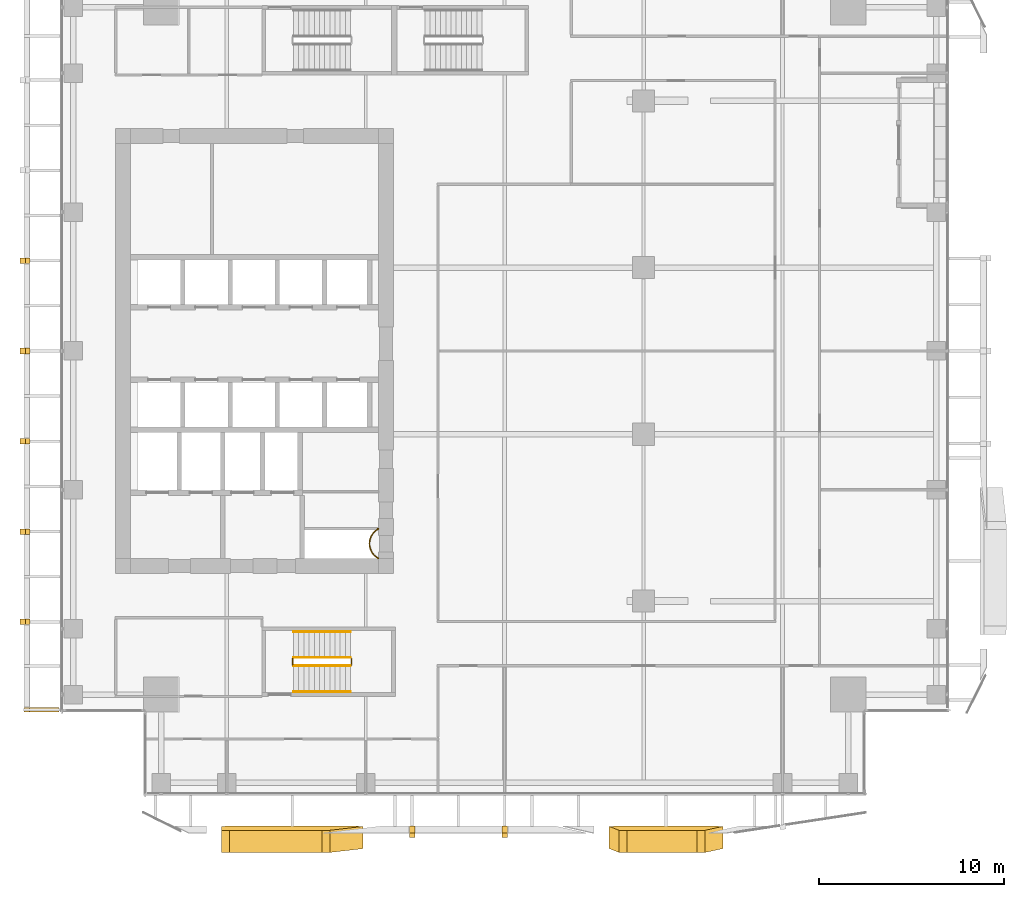
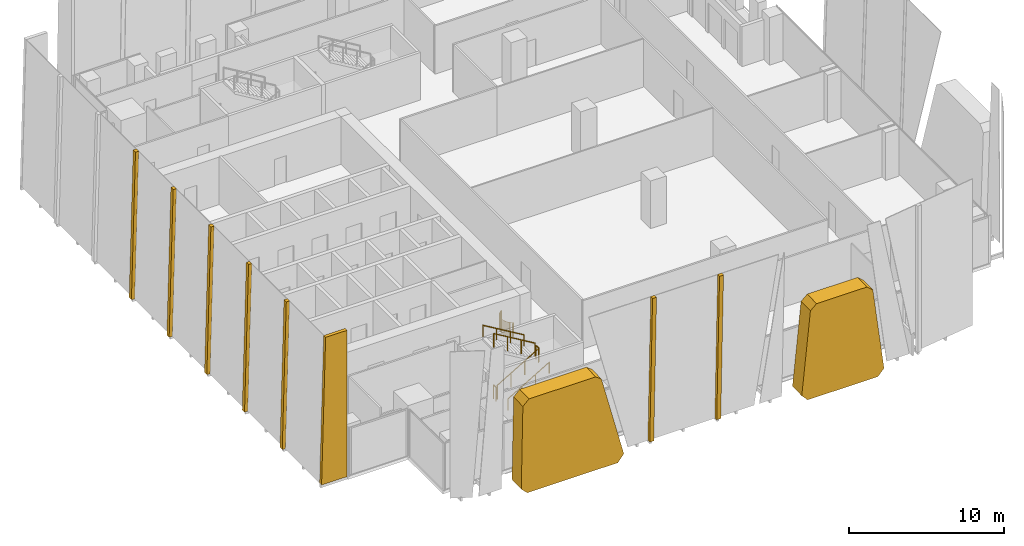
# One storey, part 32 of 35: 10 coverings, 7 railings.
"""IFC4 building model written with IfcOpenShell, lengths in metres."""

from ifc_helpers import new_model, si_unit, direction, frame, origin, origin_2d, place, context, subcontext, project, spatial, polyline, circle, outline, extrude, source, transform, mapped, material, layer, layer_set, type_object, element, save


model = new_model("IFC4")

# Units and contexts
model_context = context("Model", 3, precision=1e-05, world=origin(), true_north=direction((0.0, 1.0)))
body_context = subcontext(model_context, "Body", "Model", "MODEL_VIEW")
ifc_project = project(units=[si_unit("LENGTHUNIT", "METRE"), si_unit("AREAUNIT", "SQUARE_METRE"), si_unit("VOLUMEUNIT", "CUBIC_METRE"), si_unit("PLANEANGLEUNIT", "RADIAN"), si_unit("MASSUNIT", "GRAM", prefix="KILO")], contexts=[model_context])

# Site, building, storey
site_placement = place(None, origin())
site = spatial("IfcSite", under=ifc_project, at=site_placement, CompositionType="ELEMENT")
building_placement = place(site_placement, origin())
building = spatial("IfcBuilding", under=site, at=building_placement, Name="Khomas Fold Tower", CompositionType="ELEMENT")
storey_placement = place(building_placement, frame((0.0, 0.0, 188.699951171875)))
storey = spatial("IfcBuildingStorey", under=building, at=storey_placement, Name="L41", CompositionType="ELEMENT", Elevation=188.699951171875)

# Coverings
ifc_material_1 = material(Name="Natural stone cladding", Category="masonry")
ifc_layer_1 = layer(ifc_material_1, 0.25)
ifc_layer_set_1 = layer_set([ifc_layer_1], Name="Natural stone cladding")
covering_type_1 = type_object("IfcCoveringType", Name="SK-Karibib marble stone mullion", PredefinedType="CLADDING", material=ifc_layer_set_1)
for number, where, z_axis, x_axis, name in (
    (1, (21.85009765625, 1.3486328125, 0.0), (0.0, 0.999510363794, 0.031289497744), (0.0, -0.031289497744, 0.999510363794), "OUTER SKIN mullion L41 SM102-5"),
    (2, (26.85009765625, 1.3486328125, 0.0), (0.0, 0.999510363794, 0.031289497744), (0.0, -0.031289497744, 0.999510363794), "OUTER SKIN mullion L41 SM103-7"),
):
    element("IfcCovering", number, at=place(storey_placement, frame(where, z_axis=z_axis, x_axis=x_axis)), inside=storey, type_object=covering_type_1, Name=name, PredefinedType="CLADDING", context=body_context, shape_type="SweptSolid", body=[
        extrude(outline(polyline([(0.0, 0.0), (11.555706920623285, 0.0), (11.555706920623285, 0.2998046875), (0.0, 0.2998046875), (0.0, 0.0)])), origin(), (0.0, 0.0, -1.0), 0.25),
    ])
for number, where, z_axis, x_axis, name in (
    (3, (0.83349609375, 12.22509765625, 0.006591796875), (-0.999657230839, 0.0, 0.026180543005), (0.0, 1.0, 0.0), "OUTER SKIN mullion L41 W2"),
    (4, (0.83349609375, 17.10009765625, 0.006591796875), (-0.999657230839, 0.0, 0.026180543005), (0.0, 1.0, 0.0), "OUTER SKIN mullion L41 W4"),
    (5, (0.83349609375, 21.97509765625, 0.006591796875), (-0.999657230839, 0.0, 0.026180543005), (0.0, 1.0, 0.0), "OUTER SKIN mullion L41 W6"),
    (6, (0.83349609375, 26.85009765625, 0.006591796875), (-0.999657230839, 0.0, 0.026180543005), (0.0, 1.0, 0.0), "OUTER SKIN mullion L41 W8"),
    (7, (0.83349609375, 31.72509765625, 0.006591796875), (-0.999657230839, 0.0, 0.026180543005), (0.0, 1.0, 0.0), "OUTER SKIN mullion L41 W10"),
):
    element("IfcCovering", number, at=place(storey_placement, frame(where, z_axis=z_axis, x_axis=x_axis)), inside=storey, type_object=covering_type_1, Name=name, PredefinedType="CLADDING", context=body_context, shape_type="SweptSolid", body=[
        extrude(outline(polyline([(0.0, 0.0), (0.2998046875, 0.0), (0.2998046875, -11.554009186164079), (0.0, -11.554009186164079), (0.0, 0.0)])), origin(), (0.0, 0.0, -1.0), 0.25),
    ])
covering_1_placement = place(storey_placement, frame((2.949951171875, 7.5, 11.550048828125), z_axis=(0.0, -1.0, 0.0), x_axis=(-1.0, 0.0, 0.0)))
element("IfcCovering", 8, at=covering_1_placement, inside=storey, type_object=covering_type_1, Name="OUTER SKIN return L41 W1", PredefinedType="CLADDING", context=body_context, shape_type="SweptSolid", body=[
    extrude(outline(polyline([(0.0, 0.0), (1.60400390625, 0.0), (1.906494140625, 11.550048828125), (0.0, 11.550048828125), (0.0, 0.0)])), origin(), (0.0, 0.0, -1.0), 0.25),
])
ifc_material_2 = material(Name="Natural stone cladding", Category="masonry")
ifc_layer_2 = layer(ifc_material_2, 1.199951171875)
ifc_layer_set_2 = layer_set([ifc_layer_2], Name="Natural stone cladding")
covering_type_2 = type_object("IfcCoveringType", Name="SK-Karibib marble stone panel", PredefinedType="CLADDING", material=ifc_layer_set_2)
covering_2_placement = place(storey_placement, frame((17.5615234375, 1.122802734375, 7.217041015625), z_axis=(-4.24261e-07, 0.999510577501, 0.031282670349), x_axis=(0.26010883284, 0.030206009408, -0.965106725743)))
element("IfcCovering", 9, at=covering_2_placement, inside=storey, type_object=covering_type_2, Name="OUTER SKIN leaf L41 SS03-1", PredefinedType="CLADDING", context=body_context, shape_type="SweptSolid", body=[
    extrude(outline(polyline([(0.0, 0.0), (6.890332437424228, 4.440892098500626e-16), (7.32517717231763, 0.5672007114812712), (5.5644258031402325, 7.103484256821253), (5.012718279457514, 7.420855569593037), (-1.4116732802441507, 5.690245788655849), (-1.7293156301382238, 5.138688034945283), (-0.4347407604426041, 0.33295079848620357), (0.0, 0.0)])), origin(), (0.0, 0.0, -1.0), 1.199951171875),
])
covering_3_placement = place(storey_placement, frame((37.826904296875, 1.12451171875, 7.163818359375), z_axis=(-4.786102e-06, 0.999510515773, 0.031284642191), x_axis=(0.141811287263, 0.030969148943, -0.989409152282)))
element("IfcCovering", 10, at=covering_3_placement, inside=storey, type_object=covering_type_2, Name="OUTER SKIN leaf L41 SS06-2", PredefinedType="CLADDING", context=body_context, shape_type="SweptSolid", body=[
    extrude(outline(polyline([(0.0, 0.0), (6.721079948784155, 0.0), (7.166901833895064, 0.5137269483588506), (6.423015769895395, 5.706318811478527), (5.878459120209692, 6.0816178813575545), (-0.6328881432835337, 4.615833816389153), (-0.9795726038122146, 4.112856342101365), (-0.4456683408996714, 0.38601285698693993), (0.0, 0.0)])), origin(), (0.0, 0.0, -1.0), 1.199951171875),
])

# Railings
ifc_material_3 = material(Name="Steel balustrade", Category="steel")
railing_type_1 = type_object("IfcRailingType", Name="Stair guard", PredefinedType="GUARDRAIL", material=ifc_material_3)
shared_shape_1 = source(origin(), body_context, "Body", "SweptSolid", [
    extrude(circle(Radius=0.02392578125, at=origin_2d()), frame((0.0, 0.0, 1.076171875), z_axis=(0.0, 1.0, 0.0), x_axis=(-1.0, 0.0, 0.0)), (0.0, 0.0, 1.0), 0.349853515625),
    extrude(circle(Radius=0.02099609375, at=origin_2d()), origin(), (0.0, 0.0, 1.0), 1.052001953125),
    extrude(circle(Radius=0.02099609375, at=origin_2d()), frame((0.0, 0.349853515625, 0.0)), (0.0, 0.0, 1.0), 1.052001953125),
])
for number, where, name in (
    (11, (18.72998046875, 10.050048828125, 2.0), "L41 ST2 stair guard 2"),
    (12, (15.550048828125, 10.050048828125, 0.0), "L41 ST2 stair guard 4"),
):
    element("IfcRailing", number, at=place(storey_placement, frame(where)), inside=storey, type_object=railing_type_1, Name=name, PredefinedType="GUARDRAIL", context=body_context, shape_type="MappedRepresentation", body=[
        mapped(shared_shape_1, transform((0.0, 0.0, 0.0))),
    ])
shared_shape_2 = source(origin(), body_context, "Body", "SweptSolid", [
    extrude(circle(Radius=0.02392578125, at=origin_2d()), frame((0.0, 0.0, 1.076171875), z_axis=(0.859290745958, 0.0, 0.51148745235), x_axis=(0.0, 1.0, 0.0)), (0.0, 0.0, 1.0), 3.584228515625),
    extrude(circle(Radius=0.02099609375, at=origin_2d()), origin(), (0.0, 0.0, 1.0), 1.052001953125),
    extrude(circle(Radius=0.02099609375, at=origin_2d()), frame((1.026611328125, 0.0, 0.611083984375)), (0.0, 0.0, 1.0), 1.052001953125),
    extrude(circle(Radius=0.02099609375, at=origin_2d()), frame((2.05322265625, 0.0, 1.22216796875)), (0.0, 0.0, 1.0), 1.052001953125),
    extrude(circle(Radius=0.02099609375, at=origin_2d()), frame((3.079833984375, 0.0, 1.833251953125)), (0.0, 0.0, 1.0), 1.052001953125),
])
railing_1_placement = place(storey_placement, frame((15.60009765625, 10.0, 0.166748046875)))
element("IfcRailing", 13, at=railing_1_placement, inside=storey, type_object=railing_type_1, Name="L41 ST2 stair guard 1", PredefinedType="GUARDRAIL", context=body_context, shape_type="MappedRepresentation", body=[
    mapped(shared_shape_2, transform((0.0, 0.0, 0.0))),
])
shared_shape_3 = source(origin(), body_context, "Body", "SweptSolid", [
    extrude(circle(Radius=0.02392578125, at=origin_2d()), frame((0.0, 0.0, 1.076171875), z_axis=(-0.859290745958, 0.0, 0.51148745235), x_axis=(0.0, -1.0, 0.0)), (0.0, 0.0, 1.0), 3.584228515625),
    extrude(circle(Radius=0.02099609375, at=origin_2d()), origin(), (0.0, 0.0, 1.0), 1.052001953125),
    extrude(circle(Radius=0.02099609375, at=origin_2d()), frame((-1.026611328125, 0.0, 0.611083984375)), (0.0, 0.0, 1.0), 1.052001953125),
    extrude(circle(Radius=0.02099609375, at=origin_2d()), frame((-2.05322265625, 0.0, 1.22216796875)), (0.0, 0.0, 1.0), 1.052001953125),
    extrude(circle(Radius=0.02099609375, at=origin_2d()), frame((-3.079833984375, 0.0, 1.833251953125)), (0.0, 0.0, 1.0), 1.052001953125),
])
railing_2_placement = place(storey_placement, frame((18.679931640625, 10.449951171875, 2.166748046875)))
element("IfcRailing", 14, at=railing_2_placement, inside=storey, type_object=railing_type_1, Name="L41 ST2 stair guard 3", PredefinedType="GUARDRAIL", context=body_context, shape_type="MappedRepresentation", body=[
    mapped(shared_shape_3, transform((0.0, 0.0, 0.0))),
])
ifc_material_4 = material(Name="Steel handrail", Category="steel")
railing_type_2 = type_object("IfcRailingType", Name="Stair handrail", PredefinedType="HANDRAIL", material=ifc_material_4)
shared_shape_4 = source(origin(), body_context, "Body", "SweptSolid", [
    extrude(circle(Radius=0.02392578125, at=origin_2d()), frame((0.0, 0.0, 0.8759765625), z_axis=(0.859290745958, 0.0, 0.51148745235), x_axis=(0.0, 1.0, 0.0)), (0.0, 0.0, 1.0), 3.584228515625),
    extrude(circle(Radius=0.02099609375, at=origin_2d()), origin(), (0.0, 0.0, 1.0), 0.851806640625),
    extrude(circle(Radius=0.02099609375, at=origin_2d()), frame((1.026611328125, 0.0, 0.611083984375)), (0.0, 0.0, 1.0), 0.851806640625),
    extrude(circle(Radius=0.02099609375, at=origin_2d()), frame((2.05322265625, 0.0, 1.22216796875)), (0.0, 0.0, 1.0), 0.851806640625),
    extrude(circle(Radius=0.02099609375, at=origin_2d()), frame((3.079833984375, 0.0, 1.833251953125)), (0.0, 0.0, 1.0), 0.851806640625),
])
railing_3_placement = place(storey_placement, frame((15.60009765625, 8.60009765625, 0.166748046875)))
element("IfcRailing", 15, at=railing_3_placement, inside=storey, type_object=railing_type_2, Name="L41 ST2 stair handrail 1", PredefinedType="HANDRAIL", context=body_context, shape_type="MappedRepresentation", body=[
    mapped(shared_shape_4, transform((0.0, 0.0, 0.0))),
])
shared_shape_5 = source(origin(), body_context, "Body", "SweptSolid", [
    extrude(circle(Radius=0.02392578125, at=origin_2d()), frame((0.0, 0.0, 0.8759765625), z_axis=(-0.859290745958, 0.0, 0.51148745235), x_axis=(0.0, -1.0, 0.0)), (0.0, 0.0, 1.0), 3.584228515625),
    extrude(circle(Radius=0.02099609375, at=origin_2d()), origin(), (0.0, 0.0, 1.0), 0.851806640625),
    extrude(circle(Radius=0.02099609375, at=origin_2d()), frame((-1.026611328125, 0.0, 0.611083984375)), (0.0, 0.0, 1.0), 0.851806640625),
    extrude(circle(Radius=0.02099609375, at=origin_2d()), frame((-2.05322265625, 0.0, 1.22216796875)), (0.0, 0.0, 1.0), 0.851806640625),
    extrude(circle(Radius=0.02099609375, at=origin_2d()), frame((-3.079833984375, 0.0, 1.833251953125)), (0.0, 0.0, 1.0), 0.851806640625),
])
railing_4_placement = place(storey_placement, frame((18.679931640625, 11.85009765625, 2.166748046875)))
element("IfcRailing", 16, at=railing_4_placement, inside=storey, type_object=railing_type_2, Name="L41 ST2 stair handrail 2", PredefinedType="HANDRAIL", context=body_context, shape_type="MappedRepresentation", body=[
    mapped(shared_shape_5, transform((0.0, 0.0, 0.0))),
])
ifc_material_5 = material(Name="Steel balustrade", Category="steel")
railing_type_3 = type_object("IfcRailingType", Name="Shaft guard", PredefinedType="GUARDRAIL", material=ifc_material_5)
shared_shape_6 = source(origin(), body_context, "Body", "SweptSolid", [
    extrude(circle(Radius=0.02490234375, at=origin_2d()), frame((0.0, 0.0, 1.0751953125), z_axis=(1.0, 0.0, 0.0), x_axis=(0.0, 1.0, 0.0)), (0.0, 0.0, 1.0), 0.06103515625),
    extrude(circle(Radius=0.02490234375, at=origin_2d()), frame((0.06103515625, 0.0, 1.0751953125), z_axis=(-0.90746690712, -0.420123568111, 0.0), x_axis=(0.420123568111, -0.90746690712, 0.0)), (0.0, 0.0, 1.0), 0.0146484375),
    extrude(circle(Radius=0.02490234375, at=origin_2d()), frame((0.0478515625, -0.006103515625, 1.0751953125), z_axis=(-0.857492925713, -0.514495755428, 0.0), x_axis=(0.514495755428, -0.857492925713, 0.0)), (0.0, 0.0, 1.0), 0.08837890625),
    extrude(circle(Radius=0.02490234375, at=origin_2d()), frame((-0.02783203125, -0.051513671875, 1.0751953125), z_axis=(-0.802970227885, -0.596019138224, 0.0), x_axis=(0.596019138224, -0.802970227885, 0.0)), (0.0, 0.0, 1.0), 0.08837890625),
    extrude(circle(Radius=0.02490234375, at=origin_2d()), frame((-0.098876953125, -0.104248046875, 1.0751953125), z_axis=(-0.740814996175, -0.671709119666, 0.0), x_axis=(0.671709119666, -0.740814996175, 0.0)), (0.0, 0.0, 1.0), 0.08837890625),
    extrude(circle(Radius=0.02490234375, at=origin_2d()), frame((-0.164306640625, -0.16357421875, 1.0751953125), z_axis=(-0.671709119666, -0.740814996175, 0.0), x_axis=(0.740814996175, -0.671709119666, 0.0)), (0.0, 0.0, 1.0), 0.08837890625),
    extrude(circle(Radius=0.02490234375, at=origin_2d()), frame((-0.2236328125, -0.22900390625, 1.0751953125), z_axis=(-0.595558727233, -0.803311771616, 0.0), x_axis=(0.803311771616, -0.595558727233, 0.0)), (0.0, 0.0, 1.0), 0.088134765625),
    extrude(circle(Radius=0.02490234375, at=origin_2d()), frame((-0.276123046875, -0.2998046875, 1.0751953125), z_axis=(-0.514495755428, -0.857492925713, 0.0), x_axis=(0.857492925713, -0.514495755428, 0.0)), (0.0, 0.0, 1.0), 0.08837890625),
    extrude(circle(Radius=0.02490234375, at=origin_2d()), frame((-0.321533203125, -0.37548828125, 1.0751953125), z_axis=(-0.427256721383, -0.904130352346, 0.0), x_axis=(0.904130352346, -0.427256721383, 0.0)), (0.0, 0.0, 1.0), 0.088623046875),
    extrude(circle(Radius=0.02490234375, at=origin_2d()), frame((-0.359375, -0.45556640625, 1.0751953125), z_axis=(-0.337738989679, -0.941239807302, 0.0), x_axis=(0.941239807302, -0.337738989679, 0.0)), (0.0, 0.0, 1.0), 0.088134765625),
    extrude(circle(Radius=0.02490234375, at=origin_2d()), frame((-0.38916015625, -0.53857421875, 1.0751953125), z_axis=(-0.243185799972, -0.969979724887, 0.0), x_axis=(0.969979724887, -0.243185799972, 0.0)), (0.0, 0.0, 1.0), 0.08837890625),
    extrude(circle(Radius=0.02490234375, at=origin_2d()), frame((-0.41064453125, -0.624267578125, 1.0751953125), z_axis=(-0.146448518259, -0.989218293148, 0.0), x_axis=(0.989218293148, -0.146448518259, 0.0)), (0.0, 0.0, 1.0), 0.08837890625),
    extrude(circle(Radius=0.02490234375, at=origin_2d()), frame((-0.423583984375, -0.711669921875, 1.0751953125), z_axis=(-0.049799629132, -0.998759228712, 0.0), x_axis=(0.998759228712, -0.049799629132, 0.0)), (0.0, 0.0, 1.0), 0.088134765625),
    extrude(circle(Radius=0.02490234375, at=origin_2d()), frame((-0.427978515625, -0.7998046875, 1.0751953125), z_axis=(0.049662400856, -0.998766061669, 0.0), x_axis=(0.998766061669, 0.049662400856, 0.0)), (0.0, 0.0, 1.0), 0.08837890625),
    extrude(circle(Radius=0.02490234375, at=origin_2d()), frame((-0.423583984375, -0.88818359375, 1.0751953125), z_axis=(0.146448518259, -0.989218293148, 0.0), x_axis=(0.989218293148, 0.146448518259, 0.0)), (0.0, 0.0, 1.0), 0.08837890625),
    extrude(circle(Radius=0.02490234375, at=origin_2d()), frame((-0.41064453125, -0.9755859375, 1.0751953125), z_axis=(0.243185799972, -0.969979724887, 0.0), x_axis=(0.969979724887, 0.243185799972, 0.0)), (0.0, 0.0, 1.0), 0.08837890625),
    extrude(circle(Radius=0.02490234375, at=origin_2d()), frame((-0.38916015625, -1.061279296875, 1.0751953125), z_axis=(0.337738989679, -0.941239807302, 0.0), x_axis=(0.941239807302, 0.337738989679, 0.0)), (0.0, 0.0, 1.0), 0.088134765625),
    extrude(circle(Radius=0.02490234375, at=origin_2d()), frame((-0.359375, -1.144287109375, 1.0751953125), z_axis=(0.428323905606, -0.903625271828, 0.0), x_axis=(0.903625271828, 0.428323905606, 0.0)), (0.0, 0.0, 1.0), 0.08837890625),
    extrude(circle(Radius=0.02490234375, at=origin_2d()), frame((-0.321533203125, -1.22412109375, 1.0751953125), z_axis=(0.514495755428, -0.857492925713, 0.0), x_axis=(0.857492925713, 0.514495755428, 0.0)), (0.0, 0.0, 1.0), 0.08837890625),
    extrude(circle(Radius=0.02490234375, at=origin_2d()), frame((-0.276123046875, -1.2998046875, 1.0751953125), z_axis=(0.594235623595, -0.804291006819, 0.0), x_axis=(0.804291006819, 0.594235623595, 0.0)), (0.0, 0.0, 1.0), 0.08837890625),
    extrude(circle(Radius=0.02490234375, at=origin_2d()), frame((-0.2236328125, -1.370849609375, 1.0751953125), z_axis=(0.671709119666, -0.740814996175, 0.0), x_axis=(0.740814996175, 0.671709119666, 0.0)), (0.0, 0.0, 1.0), 0.08837890625),
    extrude(circle(Radius=0.02490234375, at=origin_2d()), frame((-0.164306640625, -1.436279296875, 1.0751953125), z_axis=(0.740814996175, -0.671709119666, 0.0), x_axis=(0.671709119666, 0.740814996175, 0.0)), (0.0, 0.0, 1.0), 0.08837890625),
    extrude(circle(Radius=0.02490234375, at=origin_2d()), frame((-0.098876953125, -1.49560546875, 1.0751953125), z_axis=(0.804291006819, -0.594235623595, 0.0), x_axis=(0.594235623595, 0.804291006819, 0.0)), (0.0, 0.0, 1.0), 0.08837890625),
    extrude(circle(Radius=0.02490234375, at=origin_2d()), frame((-0.02783203125, -1.548095703125, 1.0751953125), z_axis=(0.857492925713, -0.514495755428, 0.0), x_axis=(0.514495755428, 0.857492925713, 0.0)), (0.0, 0.0, 1.0), 0.08837890625),
    extrude(circle(Radius=0.02490234375, at=origin_2d()), frame((0.0478515625, -1.593505859375, 1.0751953125), z_axis=(0.901001669759, -0.433815618773, 0.0), x_axis=(0.433815618773, 0.901001669759, 0.0)), (0.0, 0.0, 1.0), 0.0146484375),
    extrude(circle(Radius=0.02490234375, at=origin_2d()), frame((0.06103515625, -1.599853515625, 1.0751953125), z_axis=(-1.0, 0.0, 0.0), x_axis=(0.0, -1.0, 0.0)), (0.0, 0.0, 1.0), 0.06103515625),
    extrude(circle(Radius=0.02001953125, at=origin_2d()), origin(), (0.0, 0.0, 1.0), 1.050048828125),
    extrude(circle(Radius=0.02001953125, at=origin_2d()), frame((0.06103515625, 0.0, 0.0)), (0.0, 0.0, 1.0), 1.050048828125),
    extrude(circle(Radius=0.02001953125, at=origin_2d()), frame((0.0478515625, -0.006103515625, 0.0)), (0.0, 0.0, 1.0), 1.050048828125),
    extrude(circle(Radius=0.02001953125, at=origin_2d()), frame((-0.02783203125, -0.051513671875, 0.0)), (0.0, 0.0, 1.0), 1.050048828125),
    extrude(circle(Radius=0.02001953125, at=origin_2d()), frame((-0.098876953125, -0.104248046875, 0.0)), (0.0, 0.0, 1.0), 1.050048828125),
    extrude(circle(Radius=0.02001953125, at=origin_2d()), frame((-0.164306640625, -0.16357421875, 0.0)), (0.0, 0.0, 1.0), 1.050048828125),
    extrude(circle(Radius=0.02001953125, at=origin_2d()), frame((-0.2236328125, -0.22900390625, 0.0)), (0.0, 0.0, 1.0), 1.050048828125),
    extrude(circle(Radius=0.02001953125, at=origin_2d()), frame((-0.276123046875, -0.2998046875, 0.0)), (0.0, 0.0, 1.0), 1.050048828125),
    extrude(circle(Radius=0.02001953125, at=origin_2d()), frame((-0.321533203125, -0.37548828125, 0.0)), (0.0, 0.0, 1.0), 1.050048828125),
    extrude(circle(Radius=0.02001953125, at=origin_2d()), frame((-0.359375, -0.45556640625, 0.0)), (0.0, 0.0, 1.0), 1.050048828125),
    extrude(circle(Radius=0.02001953125, at=origin_2d()), frame((-0.38916015625, -0.53857421875, 0.0)), (0.0, 0.0, 1.0), 1.050048828125),
    extrude(circle(Radius=0.02001953125, at=origin_2d()), frame((-0.41064453125, -0.624267578125, 0.0)), (0.0, 0.0, 1.0), 1.050048828125),
    extrude(circle(Radius=0.02001953125, at=origin_2d()), frame((-0.423583984375, -0.711669921875, 0.0)), (0.0, 0.0, 1.0), 1.050048828125),
    extrude(circle(Radius=0.02001953125, at=origin_2d()), frame((-0.427978515625, -0.7998046875, 0.0)), (0.0, 0.0, 1.0), 1.050048828125),
    extrude(circle(Radius=0.02001953125, at=origin_2d()), frame((-0.423583984375, -0.88818359375, 0.0)), (0.0, 0.0, 1.0), 1.050048828125),
    extrude(circle(Radius=0.02001953125, at=origin_2d()), frame((-0.41064453125, -0.9755859375, 0.0)), (0.0, 0.0, 1.0), 1.050048828125),
    extrude(circle(Radius=0.02001953125, at=origin_2d()), frame((-0.38916015625, -1.061279296875, 0.0)), (0.0, 0.0, 1.0), 1.050048828125),
    extrude(circle(Radius=0.02001953125, at=origin_2d()), frame((-0.359375, -1.144287109375, 0.0)), (0.0, 0.0, 1.0), 1.050048828125),
    extrude(circle(Radius=0.02001953125, at=origin_2d()), frame((-0.321533203125, -1.22412109375, 0.0)), (0.0, 0.0, 1.0), 1.050048828125),
    extrude(circle(Radius=0.02001953125, at=origin_2d()), frame((-0.276123046875, -1.2998046875, 0.0)), (0.0, 0.0, 1.0), 1.050048828125),
    extrude(circle(Radius=0.02001953125, at=origin_2d()), frame((-0.2236328125, -1.370849609375, 0.0)), (0.0, 0.0, 1.0), 1.050048828125),
    extrude(circle(Radius=0.02001953125, at=origin_2d()), frame((-0.164306640625, -1.436279296875, 0.0)), (0.0, 0.0, 1.0), 1.050048828125),
    extrude(circle(Radius=0.02001953125, at=origin_2d()), frame((-0.098876953125, -1.49560546875, 0.0)), (0.0, 0.0, 1.0), 1.050048828125),
    extrude(circle(Radius=0.02001953125, at=origin_2d()), frame((-0.02783203125, -1.548095703125, 0.0)), (0.0, 0.0, 1.0), 1.050048828125),
    extrude(circle(Radius=0.02001953125, at=origin_2d()), frame((0.0478515625, -1.593505859375, 0.0)), (0.0, 0.0, 1.0), 1.050048828125),
    extrude(circle(Radius=0.02001953125, at=origin_2d()), frame((0.06103515625, -1.599853515625, 0.0)), (0.0, 0.0, 1.0), 1.050048828125),
    extrude(circle(Radius=0.02001953125, at=origin_2d()), frame((0.0, -1.599853515625, 0.0)), (0.0, 0.0, 1.0), 1.050048828125),
])
railing_5_placement = place(storey_placement, frame((20.1279296875, 17.39990234375, 0.0)))
element("IfcRailing", 17, at=railing_5_placement, inside=storey, type_object=railing_type_3, Name="Shaft guard L41 1", PredefinedType="GUARDRAIL", context=body_context, shape_type="MappedRepresentation", body=[
    mapped(shared_shape_6, transform((0.0, 0.0, 0.0))),
])

save(model, "model.ifc")
